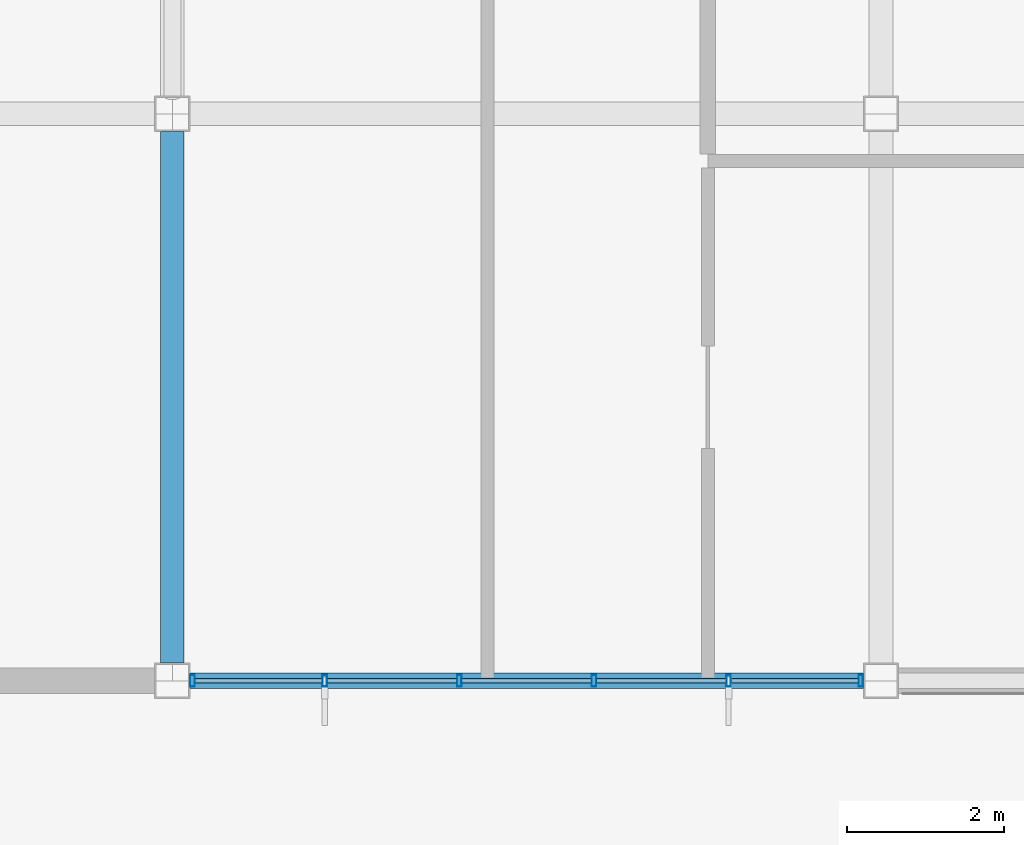
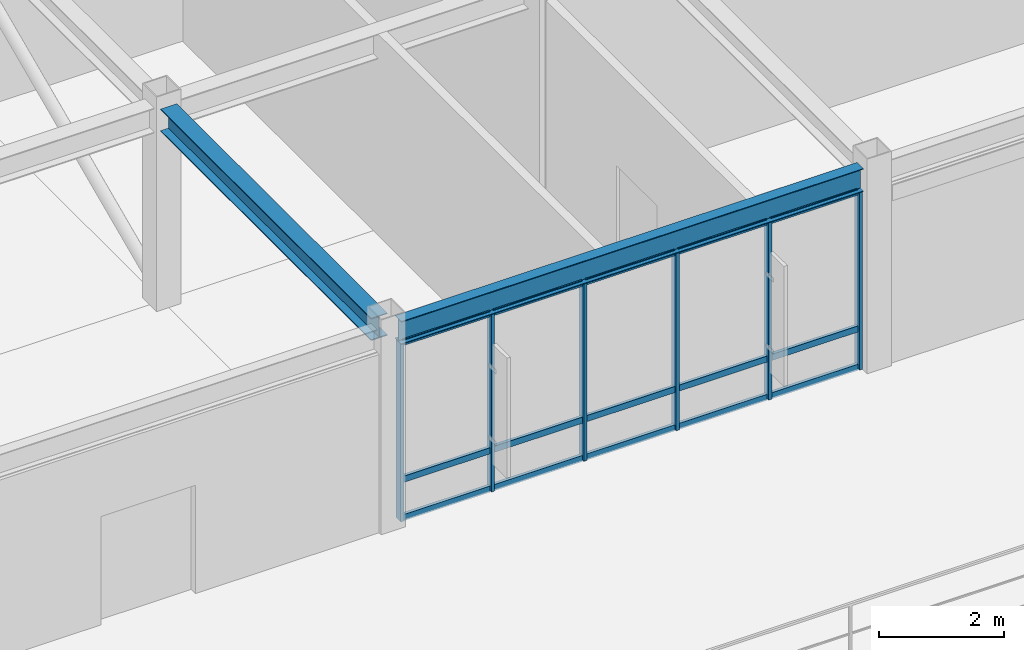
# One storey, part 11 of 106: 21 members, 2 beams, 1 element without a shape of its own.
"""IFC4 building model written with IfcOpenShell, lengths in metres."""

from ifc_helpers import new_model, si_unit, direction, frame, origin, origin_2d, place, context, subcontext, project, spatial, hollow_rectangle, i_section, extrude, material, material_profile, profile_set, type_object, element, aggregate, save


model = new_model("IFC4")

# Units and contexts
model_context = context("Model", 3, precision=1e-05, world=origin(), true_north=direction((0.0, 1.0)))
body_context = subcontext(model_context, "Body", "Model", "MODEL_VIEW")
ifc_project = project(units=[si_unit("LENGTHUNIT", "METRE"), si_unit("AREAUNIT", "SQUARE_METRE"), si_unit("VOLUMEUNIT", "CUBIC_METRE"), si_unit("PLANEANGLEUNIT", "RADIAN"), si_unit("MASSUNIT", "GRAM", prefix="KILO")], contexts=[model_context])

# Site, building, storey
site_placement = place(None, origin())
site = spatial("IfcSite", under=ifc_project, at=site_placement, CompositionType="ELEMENT")
building_placement = place(site_placement, origin())
building = spatial("IfcBuilding", under=site, at=building_placement, Name="Kazanami Central Library", CompositionType="ELEMENT")
storey_placement = place(building_placement, frame((0.0, 0.0, 12.800048828125)))
storey = spatial("IfcBuildingStorey", under=building, at=storey_placement, Name="L04", CompositionType="ELEMENT", Elevation=12.800048828125)

# Beams
ifc_material_1 = material(Name="Steel SN490B (325 MPa)", Category="steel")
ifc_material_profile_1 = material_profile(ifc_material_1, i_section(OverallWidth=0.300048828125, OverallDepth=0.43994140625, WebThickness=0.010986328125, FlangeThickness=0.01806640625, at=origin_2d()), Name="H-440x300x11x18")
ifc_profile_set_1 = profile_set([ifc_material_profile_1], Name="Steel SN490B (325 MPa)")
beam_type_1 = type_object("IfcBeamType", Name="BM-G-Y4", PredefinedType="BEAM", material=ifc_profile_set_1)
beam_1_placement = place(storey_placement, frame((18.0, 65.02294921875, 3.719970703125), z_axis=(0.0, 1.0, 0.0), x_axis=(-1.0, 0.0, 0.0)))
element("IfcBeam", 1, at=beam_1_placement, inside=storey, type_object=beam_type_1, Name="Girder G-Y4 L04 3/K-L", PredefinedType="BEAM", context=body_context, shape_type="SweptSolid", body=[
    extrude(i_section(OverallWidth=0.300048828125, OverallDepth=0.43994140625, WebThickness=0.010986328125, FlangeThickness=0.01806640625, at=origin_2d()), origin(), (0.0, 0.0, 1.0), 6.754150390625),
])
ifc_material_profile_2 = material_profile(ifc_material_1, i_section(OverallWidth=0.199951171875, OverallDepth=0.449951171875, WebThickness=0.009033203125, FlangeThickness=0.013916015625, at=origin_2d()), Name="H-450x200x9x14")
ifc_profile_set_2 = profile_set([ifc_material_profile_2], Name="Steel SN490B (325 MPa)")
beam_type_2 = type_object("IfcBeamType", Name="BM-SP-2", PredefinedType="SPANDREL", material=ifc_profile_set_2)
beam_2_placement = place(storey_placement, frame((18.222900390625, 64.800048828125, 3.71484375), z_axis=(1.0, 0.0, 0.0), x_axis=(0.0, 1.0, 0.0)))
element("IfcBeam", 2, at=beam_2_placement, inside=storey, type_object=beam_type_2, Name="Girder SP-2 L04 K/3-4", PredefinedType="SPANDREL", context=body_context, shape_type="SweptSolid", body=[
    extrude(i_section(OverallWidth=0.199951171875, OverallDepth=0.449951171875, WebThickness=0.009033203125, FlangeThickness=0.013916015625, at=origin_2d()), origin(), (0.0, 0.0, 1.0), 8.55419921875),
])

# Curtain wall, members
ifc_material_2 = material(Name="Acid-Etched Low-E Laminated Glass", Category="glass")
curtain_wall_type = type_object("IfcCurtainWallType", Name="CW-8550x3490-M180", PredefinedType="USERDEFINED", material=ifc_material_2)
curtain_wall_placement = place(storey_placement, origin())
curtain_wall = element("IfcCurtainWall", 3, at=curtain_wall_placement, inside=storey, type_object=curtain_wall_type, Name="Unitised Curtain Wall CW-39 L04 S-K-02", ObjectType="UNITISED CURTAIN WALL", PredefinedType="USERDEFINED")
ifc_material_3 = material(Name="Anodised Aluminium A6063-T5", Category="aluminium")
ifc_material_profile_3 = material_profile(ifc_material_3, hollow_rectangle(XDim=0.06005859375, YDim=0.14990234375, WallThickness=0.00390625, at=origin_2d()), Name="ALU-MULL-60x150x4")
ifc_profile_set_3 = profile_set([ifc_material_profile_3], Name="Anodised Aluminium A6063-T5")
member_type_1 = type_object("IfcMemberType", Name="MEM-CW-M3", PredefinedType="MULLION", material=ifc_profile_set_3)
member_1_placement = place(storey_placement, frame((18.2548828125, 64.800048828125, 0.0), z_axis=(0.0, 0.0, 1.0), x_axis=(1.0, 0.0, 0.0)))
member_1 = element("IfcMember", 4, at=member_1_placement, type_object=member_type_1, Name="CW-39 mullion 1", PredefinedType="MULLION", context=body_context, shape_type="SweptSolid", body=[
    extrude(hollow_rectangle(XDim=0.06005859375, YDim=0.14990234375, WallThickness=0.00390625, at=origin_2d()), origin(), (0.0, 0.0, 1.0), 3.489990234375),
])
member_2_placement = place(storey_placement, frame((19.93505859375, 64.800048828125, 0.0), z_axis=(0.0, 0.0, 1.0), x_axis=(1.0, 0.0, 0.0)))
member_2 = element("IfcMember", 5, at=member_2_placement, type_object=member_type_1, Name="CW-39 mullion 2", PredefinedType="MULLION", context=body_context, shape_type="SweptSolid", body=[
    extrude(hollow_rectangle(XDim=0.06005859375, YDim=0.14990234375, WallThickness=0.00390625, at=origin_2d()), origin(), (0.0, 0.0, 1.0), 3.489990234375),
])
member_3_placement = place(storey_placement, frame((21.64501953125, 64.800048828125, 0.0), z_axis=(0.0, 0.0, 1.0), x_axis=(1.0, 0.0, 0.0)))
member_3 = element("IfcMember", 6, at=member_3_placement, type_object=member_type_1, Name="CW-39 mullion 3", PredefinedType="MULLION", context=body_context, shape_type="SweptSolid", body=[
    extrude(hollow_rectangle(XDim=0.06005859375, YDim=0.14990234375, WallThickness=0.00390625, at=origin_2d()), origin(), (0.0, 0.0, 1.0), 3.489990234375),
])
member_4_placement = place(storey_placement, frame((23.35498046875, 64.800048828125, 0.0), z_axis=(0.0, 0.0, 1.0), x_axis=(1.0, 0.0, 0.0)))
member_4 = element("IfcMember", 7, at=member_4_placement, type_object=member_type_1, Name="CW-39 mullion 4", PredefinedType="MULLION", context=body_context, shape_type="SweptSolid", body=[
    extrude(hollow_rectangle(XDim=0.06005859375, YDim=0.14990234375, WallThickness=0.00390625, at=origin_2d()), origin(), (0.0, 0.0, 1.0), 3.489990234375),
])
member_5_placement = place(storey_placement, frame((25.06494140625, 64.800048828125, 0.0), z_axis=(0.0, 0.0, 1.0), x_axis=(1.0, 0.0, 0.0)))
member_5 = element("IfcMember", 8, at=member_5_placement, type_object=member_type_1, Name="CW-39 mullion 5", PredefinedType="MULLION", context=body_context, shape_type="SweptSolid", body=[
    extrude(hollow_rectangle(XDim=0.06005859375, YDim=0.14990234375, WallThickness=0.00390625, at=origin_2d()), origin(), (0.0, 0.0, 1.0), 3.489990234375),
])
member_6_placement = place(storey_placement, frame((26.7451171875, 64.800048828125, 0.0), z_axis=(0.0, 0.0, 1.0), x_axis=(1.0, 0.0, 0.0)))
member_6 = element("IfcMember", 9, at=member_6_placement, type_object=member_type_1, Name="CW-39 mullion 6", PredefinedType="MULLION", context=body_context, shape_type="SweptSolid", body=[
    extrude(hollow_rectangle(XDim=0.06005859375, YDim=0.14990234375, WallThickness=0.00390625, at=origin_2d()), origin(), (0.0, 0.0, 1.0), 3.489990234375),
])
ifc_material_profile_4 = material_profile(ifc_material_3, hollow_rectangle(XDim=0.06005859375, YDim=0.1201171875, WallThickness=0.00341796875, at=origin_2d()), Name="ALU-TRAN-60x120x3.5")
ifc_profile_set_4 = profile_set([ifc_material_profile_4], Name="Anodised Aluminium A6063-T5")
member_type_2 = type_object("IfcMemberType", Name="MEM-CW-T3", PredefinedType="USERDEFINED", material=ifc_profile_set_4)
member_7_placement = place(storey_placement, frame((18.284912109375, 64.800048828125, 0.030029296875), z_axis=(1.0, 0.0, 0.0), x_axis=(0.0, 1.0, 0.0)))
member_7 = element("IfcMember", 10, at=member_7_placement, type_object=member_type_2, Name="CW-39 transom 1.1", ObjectType="TRANSOM", PredefinedType="USERDEFINED", context=body_context, shape_type="SweptSolid", body=[
    extrude(hollow_rectangle(XDim=0.06005859375, YDim=0.1201171875, WallThickness=0.00341796875, at=origin_2d()), origin(), (0.0, 0.0, 1.0), 1.6201171875),
])
member_8_placement = place(storey_placement, frame((18.284912109375, 64.800048828125, 0.780029296875), z_axis=(1.0, 0.0, 0.0), x_axis=(0.0, 1.0, 0.0)))
member_8 = element("IfcMember", 11, at=member_8_placement, type_object=member_type_2, Name="CW-39 transom 1.2", ObjectType="TRANSOM", PredefinedType="USERDEFINED", context=body_context, shape_type="SweptSolid", body=[
    extrude(hollow_rectangle(XDim=0.06005859375, YDim=0.1201171875, WallThickness=0.00341796875, at=origin_2d()), origin(), (0.0, 0.0, 1.0), 1.6201171875),
])
member_9_placement = place(storey_placement, frame((18.284912109375, 64.800048828125, 3.4599609375), z_axis=(1.0, 0.0, 0.0), x_axis=(0.0, 1.0, 0.0)))
member_9 = element("IfcMember", 12, at=member_9_placement, type_object=member_type_2, Name="CW-39 transom 1.3", ObjectType="TRANSOM", PredefinedType="USERDEFINED", context=body_context, shape_type="SweptSolid", body=[
    extrude(hollow_rectangle(XDim=0.06005859375, YDim=0.1201171875, WallThickness=0.00341796875, at=origin_2d()), origin(), (0.0, 0.0, 1.0), 1.6201171875),
])
member_10_placement = place(storey_placement, frame((19.965087890625, 64.800048828125, 0.030029296875), z_axis=(1.0, 0.0, 0.0), x_axis=(0.0, 1.0, 0.0)))
member_10 = element("IfcMember", 13, at=member_10_placement, type_object=member_type_2, Name="CW-39 transom 2.1", ObjectType="TRANSOM", PredefinedType="USERDEFINED", context=body_context, shape_type="SweptSolid", body=[
    extrude(hollow_rectangle(XDim=0.06005859375, YDim=0.1201171875, WallThickness=0.00341796875, at=origin_2d()), origin(), (0.0, 0.0, 1.0), 1.64990234375),
])
member_11_placement = place(storey_placement, frame((19.965087890625, 64.800048828125, 0.780029296875), z_axis=(1.0, 0.0, 0.0), x_axis=(0.0, 1.0, 0.0)))
member_11 = element("IfcMember", 14, at=member_11_placement, type_object=member_type_2, Name="CW-39 transom 2.2", ObjectType="TRANSOM", PredefinedType="USERDEFINED", context=body_context, shape_type="SweptSolid", body=[
    extrude(hollow_rectangle(XDim=0.06005859375, YDim=0.1201171875, WallThickness=0.00341796875, at=origin_2d()), origin(), (0.0, 0.0, 1.0), 1.64990234375),
])
member_12_placement = place(storey_placement, frame((19.965087890625, 64.800048828125, 3.4599609375), z_axis=(1.0, 0.0, 0.0), x_axis=(0.0, 1.0, 0.0)))
member_12 = element("IfcMember", 15, at=member_12_placement, type_object=member_type_2, Name="CW-39 transom 2.3", ObjectType="TRANSOM", PredefinedType="USERDEFINED", context=body_context, shape_type="SweptSolid", body=[
    extrude(hollow_rectangle(XDim=0.06005859375, YDim=0.1201171875, WallThickness=0.00341796875, at=origin_2d()), origin(), (0.0, 0.0, 1.0), 1.64990234375),
])
member_13_placement = place(storey_placement, frame((21.675048828125, 64.800048828125, 0.030029296875), z_axis=(1.0, 0.0, 0.0), x_axis=(0.0, 1.0, 0.0)))
member_13 = element("IfcMember", 16, at=member_13_placement, type_object=member_type_2, Name="CW-39 transom 3.1", ObjectType="TRANSOM", PredefinedType="USERDEFINED", context=body_context, shape_type="SweptSolid", body=[
    extrude(hollow_rectangle(XDim=0.06005859375, YDim=0.1201171875, WallThickness=0.00341796875, at=origin_2d()), origin(), (0.0, 0.0, 1.0), 1.64990234375),
])
member_14_placement = place(storey_placement, frame((21.675048828125, 64.800048828125, 0.780029296875), z_axis=(1.0, 0.0, 0.0), x_axis=(0.0, 1.0, 0.0)))
member_14 = element("IfcMember", 17, at=member_14_placement, type_object=member_type_2, Name="CW-39 transom 3.2", ObjectType="TRANSOM", PredefinedType="USERDEFINED", context=body_context, shape_type="SweptSolid", body=[
    extrude(hollow_rectangle(XDim=0.06005859375, YDim=0.1201171875, WallThickness=0.00341796875, at=origin_2d()), origin(), (0.0, 0.0, 1.0), 1.64990234375),
])
member_15_placement = place(storey_placement, frame((21.675048828125, 64.800048828125, 3.4599609375), z_axis=(1.0, 0.0, 0.0), x_axis=(0.0, 1.0, 0.0)))
member_15 = element("IfcMember", 18, at=member_15_placement, type_object=member_type_2, Name="CW-39 transom 3.3", ObjectType="TRANSOM", PredefinedType="USERDEFINED", context=body_context, shape_type="SweptSolid", body=[
    extrude(hollow_rectangle(XDim=0.06005859375, YDim=0.1201171875, WallThickness=0.00341796875, at=origin_2d()), origin(), (0.0, 0.0, 1.0), 1.64990234375),
])
member_16_placement = place(storey_placement, frame((23.385009765625, 64.800048828125, 0.030029296875), z_axis=(1.0, 0.0, 0.0), x_axis=(0.0, 1.0, 0.0)))
member_16 = element("IfcMember", 19, at=member_16_placement, type_object=member_type_2, Name="CW-39 transom 4.1", ObjectType="TRANSOM", PredefinedType="USERDEFINED", context=body_context, shape_type="SweptSolid", body=[
    extrude(hollow_rectangle(XDim=0.06005859375, YDim=0.1201171875, WallThickness=0.00341796875, at=origin_2d()), origin(), (0.0, 0.0, 1.0), 1.64990234375),
])
member_17_placement = place(storey_placement, frame((23.385009765625, 64.800048828125, 0.780029296875), z_axis=(1.0, 0.0, 0.0), x_axis=(0.0, 1.0, 0.0)))
member_17 = element("IfcMember", 20, at=member_17_placement, type_object=member_type_2, Name="CW-39 transom 4.2", ObjectType="TRANSOM", PredefinedType="USERDEFINED", context=body_context, shape_type="SweptSolid", body=[
    extrude(hollow_rectangle(XDim=0.06005859375, YDim=0.1201171875, WallThickness=0.00341796875, at=origin_2d()), origin(), (0.0, 0.0, 1.0), 1.64990234375),
])
member_18_placement = place(storey_placement, frame((23.385009765625, 64.800048828125, 3.4599609375), z_axis=(1.0, 0.0, 0.0), x_axis=(0.0, 1.0, 0.0)))
member_18 = element("IfcMember", 21, at=member_18_placement, type_object=member_type_2, Name="CW-39 transom 4.3", ObjectType="TRANSOM", PredefinedType="USERDEFINED", context=body_context, shape_type="SweptSolid", body=[
    extrude(hollow_rectangle(XDim=0.06005859375, YDim=0.1201171875, WallThickness=0.00341796875, at=origin_2d()), origin(), (0.0, 0.0, 1.0), 1.64990234375),
])
member_19_placement = place(storey_placement, frame((25.094970703125, 64.800048828125, 0.030029296875), z_axis=(1.0, 0.0, 0.0), x_axis=(0.0, 1.0, 0.0)))
member_19 = element("IfcMember", 22, at=member_19_placement, type_object=member_type_2, Name="CW-39 transom 5.1", ObjectType="TRANSOM", PredefinedType="USERDEFINED", context=body_context, shape_type="SweptSolid", body=[
    extrude(hollow_rectangle(XDim=0.06005859375, YDim=0.1201171875, WallThickness=0.00341796875, at=origin_2d()), origin(), (0.0, 0.0, 1.0), 1.6201171875),
])
member_20_placement = place(storey_placement, frame((25.094970703125, 64.800048828125, 0.780029296875), z_axis=(1.0, 0.0, 0.0), x_axis=(0.0, 1.0, 0.0)))
member_20 = element("IfcMember", 23, at=member_20_placement, type_object=member_type_2, Name="CW-39 transom 5.2", ObjectType="TRANSOM", PredefinedType="USERDEFINED", context=body_context, shape_type="SweptSolid", body=[
    extrude(hollow_rectangle(XDim=0.06005859375, YDim=0.1201171875, WallThickness=0.00341796875, at=origin_2d()), origin(), (0.0, 0.0, 1.0), 1.6201171875),
])
member_21_placement = place(storey_placement, frame((25.094970703125, 64.800048828125, 3.4599609375), z_axis=(1.0, 0.0, 0.0), x_axis=(0.0, 1.0, 0.0)))
member_21 = element("IfcMember", 24, at=member_21_placement, type_object=member_type_2, Name="CW-39 transom 5.3", ObjectType="TRANSOM", PredefinedType="USERDEFINED", context=body_context, shape_type="SweptSolid", body=[
    extrude(hollow_rectangle(XDim=0.06005859375, YDim=0.1201171875, WallThickness=0.00341796875, at=origin_2d()), origin(), (0.0, 0.0, 1.0), 1.6201171875),
])
aggregate(curtain_wall, [member_1, member_2, member_3, member_4, member_5, member_6, member_7, member_8, member_9, member_10, member_11, member_12, member_13, member_14, member_15, member_16, member_17, member_18, member_19, member_20, member_21])

save(model, "model.ifc")
